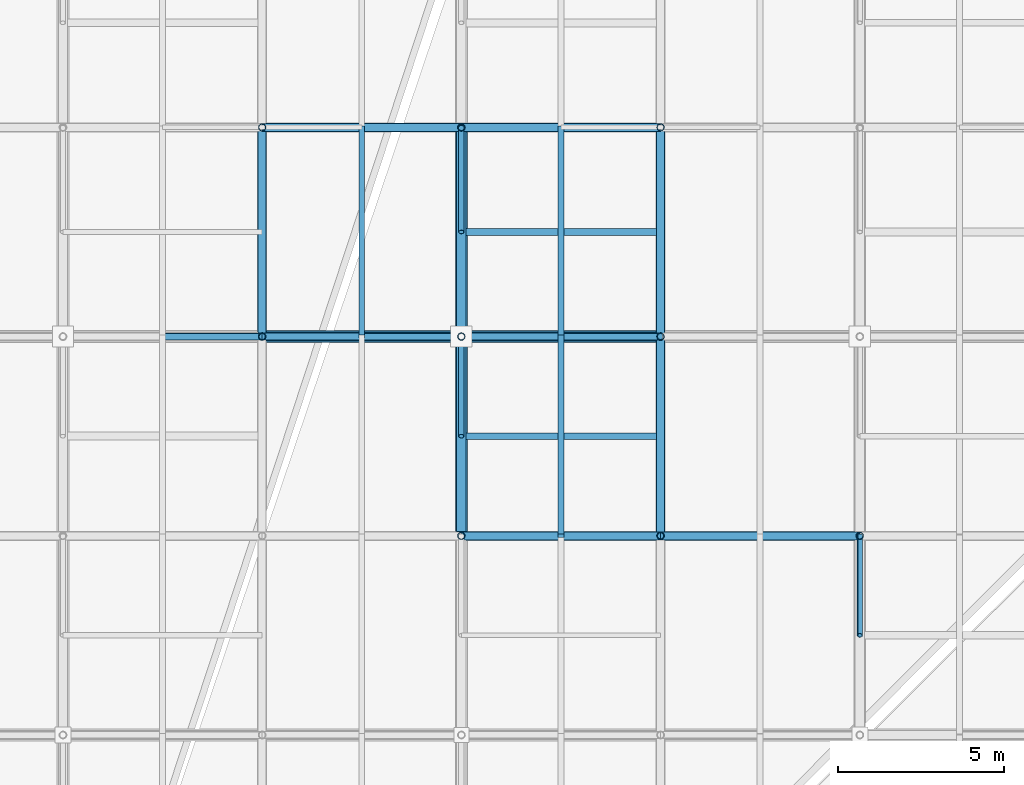
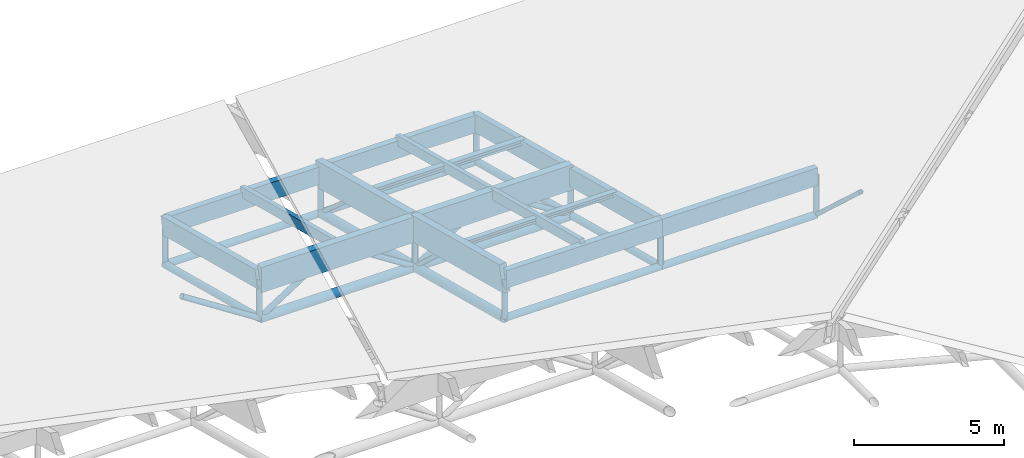
# One storey, part 62 of 80: 44 members.
"""IFC4 building model written with IfcOpenShell, lengths in metres."""

from ifc_helpers import new_model, si_unit, direction, frame, origin, origin_2d, place, context, subcontext, project, spatial, rectangle, hollow_circle, i_section, extrude, material, material_profile, profile_set, type_object, element, save


model = new_model("IFC4")

# Units and contexts
model_context = context("Model", 3, precision=1e-05, world=origin(), true_north=direction((0.0, 1.0)))
body_context = subcontext(model_context, "Body", "Model", "MODEL_VIEW")
ifc_project = project(units=[si_unit("LENGTHUNIT", "METRE"), si_unit("AREAUNIT", "SQUARE_METRE"), si_unit("VOLUMEUNIT", "CUBIC_METRE"), si_unit("PLANEANGLEUNIT", "RADIAN"), si_unit("MASSUNIT", "GRAM", prefix="KILO"), si_unit("THERMODYNAMICTEMPERATUREUNIT", "KELVIN"), si_unit("POWERUNIT", "WATT")], contexts=[model_context])

# Site, building, storey
site_placement = place(None, origin())
site = spatial("IfcSite", under=ifc_project, at=site_placement, CompositionType="ELEMENT")
building_placement = place(site_placement, origin())
building = spatial("IfcBuilding", under=site, at=building_placement, Name="Solmara Park Aquatics Centre", CompositionType="ELEMENT")
storey_placement = place(building_placement, frame((0.0, 0.0, 22.800048828125)))
storey = spatial("IfcBuildingStorey", under=building, at=storey_placement, Name="RF", CompositionType="ELEMENT", Elevation=22.800048828125)

# Members
ifc_material_1 = material(Name="Structural Steel S355", Category="steel")
ifc_material_profile_1 = material_profile(ifc_material_1, hollow_circle(Radius=0.084228515625, WallThickness=0.008056640625, at=origin_2d()), Name="CHS 168.3x8")
ifc_profile_set_1 = profile_set([ifc_material_profile_1], Name="Structural Steel S355")
member_type_1 = type_object("IfcMemberType", Name="STR-BRC-CHS168", PredefinedType="BRACE", material=ifc_profile_set_1)
member_1_placement = place(storey_placement, frame((84.60009765625, 66.60009765625, -9.58984375), z_axis=(0.0, -0.736437262703, 0.67650584484), x_axis=(1.0, 0.0, 0.0)))
element("IfcMember", 1, at=member_1_placement, inside=storey, type_object=member_type_1, Name="Roof Truss Web Diagonal Y 2103", PredefinedType="BRACE", context=body_context, shape_type="SweptSolid", body=[
    extrude(hollow_circle(Radius=0.084228515625, WallThickness=0.008056640625, at=origin_2d()), origin(), (0.0, 0.0, 1.0), 4.07373046875),
])
member_2_placement = place(storey_placement, frame((72.60009765625, 72.60009765625, -11.141357421875), z_axis=(0.0, -0.736467121275, 0.676473339667), x_axis=(1.0, 0.0, 0.0)))
element("IfcMember", 2, at=member_2_placement, inside=storey, type_object=member_type_1, Name="Roof Truss Web Diagonal Y 2125", PredefinedType="BRACE", context=body_context, shape_type="SweptSolid", body=[
    extrude(hollow_circle(Radius=0.084228515625, WallThickness=0.008056640625, at=origin_2d()), origin(), (0.0, 0.0, 1.0), 4.073486328125),
])
member_3_placement = place(storey_placement, frame((72.60009765625, 78.89990234375, -12.770751953125), z_axis=(0.0, -0.748026356938, 0.663669020917), x_axis=(1.0, 0.0, 0.0)))
element("IfcMember", 3, at=member_3_placement, inside=storey, type_object=member_type_1, Name="Roof Truss Web Diagonal Y 2147", PredefinedType="BRACE", context=body_context, shape_type="SweptSolid", body=[
    extrude(hollow_circle(Radius=0.084228515625, WallThickness=0.008056640625, at=origin_2d()), origin(), (0.0, 0.0, 1.0), 4.2109375),
])
ifc_material_profile_2 = material_profile(ifc_material_1, hollow_circle(Radius=0.109619140625, WallThickness=0.010009765625, at=origin_2d()), Name="CHS 219.1x10")
ifc_profile_set_2 = profile_set([ifc_material_profile_2], Name="Structural Steel S355")
member_type_2 = type_object("IfcMemberType", Name="STR-BRC-CHS219", PredefinedType="BRACE", material=ifc_profile_set_2)
for number, where, z_axis, x_axis, name in (
    (4, (66.60009765625, 72.60009765625, -11.141357421875), (-0.83972779743, 0.0, 0.543007574738), (0.0, -1.0, 0.0), "Roof Truss Web Diagonal X 1650"),
    (5, (66.60009765625, 72.60009765625, -11.141357421875), (0.83972779743, 0.0, 0.543007574738), (0.0, 1.0, 0.0), "Roof Truss Web Diagonal X 1679"),
    (6, (72.60009765625, 72.60009765625, -11.141357421875), (-0.83972779743, 0.0, 0.543007574738), (0.0, -1.0, 0.0), "Roof Truss Web Diagonal X 1680"),
    (7, (72.60009765625, 72.60009765625, -11.141357421875), (0.83972779743, 0.0, 0.543007574738), (0.0, 1.0, 0.0), "Roof Truss Web Diagonal X 1707"),
    (8, (78.60009765625, 72.60009765625, -11.141357421875), (-0.83972779743, 0.0, 0.543007574738), (0.0, -1.0, 0.0), "Roof Truss Web Diagonal X 1708"),
):
    element("IfcMember", number, at=place(storey_placement, frame(where, z_axis=z_axis, x_axis=x_axis)), inside=storey, type_object=member_type_2, Name=name, PredefinedType="BRACE", context=body_context, shape_type="SweptSolid", body=[
        extrude(hollow_circle(Radius=0.109619140625, WallThickness=0.010009765625, at=origin_2d()), origin(), (0.0, 0.0, 1.0), 3.572509765625),
    ])
ifc_material_profile_3 = material_profile(ifc_material_1, hollow_circle(Radius=0.136474609375, WallThickness=0.012451171875, at=origin_2d()), Name="CHS 273x12.5")
ifc_profile_set_3 = profile_set([ifc_material_profile_3], Name="Structural Steel S355")
member_type_3 = type_object("IfcMemberType", Name="STR-CHD-CHS273", PredefinedType="CHORD", material=ifc_profile_set_3)
for number, where, z_axis, x_axis, name in (
    (9, (72.60009765625, 66.60009765625, -9.58984375), (1.0, 0.0, 0.0), (0.0, 1.0, 0.0), "Steel Roof Truss Bottom Chord X 0422"),
    (10, (78.60009765625, 66.60009765625, -9.58984375), (1.0, 0.0, 0.0), (0.0, 1.0, 0.0), "Steel Roof Truss Bottom Chord X 0424"),
    (11, (66.60009765625, 78.89990234375, -12.770751953125), (1.0, 0.0, 0.0), (0.0, 1.0, 0.0), "Steel Roof Truss Bottom Chord X 0492"),
    (12, (72.60009765625, 78.89990234375, -12.770751953125), (1.0, 0.0, 0.0), (0.0, 1.0, 0.0), "Steel Roof Truss Bottom Chord X 0494"),
):
    element("IfcMember", number, at=place(storey_placement, frame(where, z_axis=z_axis, x_axis=x_axis)), inside=storey, type_object=member_type_3, Name=name, PredefinedType="CHORD", context=body_context, shape_type="SweptSolid", body=[
        extrude(hollow_circle(Radius=0.136474609375, WallThickness=0.012451171875, at=origin_2d()), origin(), (0.0, 0.0, 1.0), 6.0),
    ])
member_4_placement = place(storey_placement, frame((66.60009765625, 72.60009765625, -11.141357421875), z_axis=(0.0, 0.968141893543, -0.250402224365), x_axis=(-1.0, 0.0, 0.0)))
element("IfcMember", 13, at=member_4_placement, inside=storey, type_object=member_type_3, Name="Steel Roof Truss Bottom Chord Y 0874", PredefinedType="CHORD", context=body_context, shape_type="SweptSolid", body=[
    extrude(hollow_circle(Radius=0.136474609375, WallThickness=0.012451171875, at=origin_2d()), origin(), (0.0, 0.0, 1.0), 6.507080078125),
])
member_5_placement = place(storey_placement, frame((78.60009765625, 66.60009765625, -9.58984375), z_axis=(0.0, 0.968155143395, -0.250350990246), x_axis=(-1.0, 0.0, 0.0)))
element("IfcMember", 14, at=member_5_placement, inside=storey, type_object=member_type_3, Name="Steel Roof Truss Bottom Chord Y 0928", PredefinedType="CHORD", context=body_context, shape_type="SweptSolid", body=[
    extrude(hollow_circle(Radius=0.136474609375, WallThickness=0.012451171875, at=origin_2d()), origin(), (0.0, 0.0, 1.0), 6.197265625),
])
member_6_placement = place(storey_placement, frame((78.60009765625, 72.60009765625, -11.141357421875), z_axis=(0.0, 0.968141893543, -0.250402224365), x_axis=(-1.0, 0.0, 0.0)))
element("IfcMember", 15, at=member_6_placement, inside=storey, type_object=member_type_3, Name="Steel Roof Truss Bottom Chord Y 0930", PredefinedType="CHORD", context=body_context, shape_type="SweptSolid", body=[
    extrude(hollow_circle(Radius=0.136474609375, WallThickness=0.012451171875, at=origin_2d()), origin(), (0.0, 0.0, 1.0), 6.507080078125),
])
ifc_material_profile_4 = material_profile(ifc_material_1, hollow_circle(Radius=0.177734375, WallThickness=0.01611328125, at=origin_2d()), Name="CHS 355.6x16")
ifc_profile_set_4 = profile_set([ifc_material_profile_4], Name="Structural Steel S355")
member_type_4 = type_object("IfcMemberType", Name="STR-CHD-CHS355", PredefinedType="CHORD", material=ifc_profile_set_4)
for number, where, z_axis, x_axis, name in (
    (16, (66.60009765625, 72.60009765625, -11.141357421875), (1.0, 0.0, 0.0), (0.0, 1.0, 0.0), "Steel Roof Truss Bottom Chord X 0456"),
    (17, (72.60009765625, 72.60009765625, -11.141357421875), (1.0, 0.0, 0.0), (0.0, 1.0, 0.0), "Steel Roof Truss Bottom Chord X 0458"),
):
    element("IfcMember", number, at=place(storey_placement, frame(where, z_axis=z_axis, x_axis=x_axis)), inside=storey, type_object=member_type_4, Name=name, PredefinedType="CHORD", context=body_context, shape_type="SweptSolid", body=[
        extrude(hollow_circle(Radius=0.177734375, WallThickness=0.01611328125, at=origin_2d()), origin(), (0.0, 0.0, 1.0), 6.0),
    ])
member_7_placement = place(storey_placement, frame((72.60009765625, 66.60009765625, -9.58984375), z_axis=(0.0, 0.968155143395, -0.250350990246), x_axis=(-1.0, 0.0, 0.0)))
element("IfcMember", 18, at=member_7_placement, inside=storey, type_object=member_type_4, Name="Steel Roof Truss Bottom Chord Y 0900", PredefinedType="CHORD", context=body_context, shape_type="SweptSolid", body=[
    extrude(hollow_circle(Radius=0.177734375, WallThickness=0.01611328125, at=origin_2d()), origin(), (0.0, 0.0, 1.0), 6.197265625),
])
member_8_placement = place(storey_placement, frame((72.60009765625, 72.60009765625, -11.141357421875), z_axis=(0.0, 0.968141893543, -0.250402224365), x_axis=(-1.0, 0.0, 0.0)))
element("IfcMember", 19, at=member_8_placement, inside=storey, type_object=member_type_4, Name="Steel Roof Truss Bottom Chord Y 0902", PredefinedType="CHORD", context=body_context, shape_type="SweptSolid", body=[
    extrude(hollow_circle(Radius=0.177734375, WallThickness=0.01611328125, at=origin_2d()), origin(), (0.0, 0.0, 1.0), 6.507080078125),
])
ifc_material_2 = material(Name="Glulam Timber GL28h", Category="wood")
ifc_material_profile_5 = material_profile(ifc_material_2, rectangle(XDim=0.239990234375, YDim=0.719970703125, at=origin_2d()), Name="GL28h 240x720")
ifc_profile_set_5 = profile_set([ifc_material_profile_5], Name="Glulam Timber GL28h")
member_type_5 = type_object("IfcMemberType", Name="STR-CHD-GL240x720", PredefinedType="CHORD", material=ifc_profile_set_5)
for number, where, z_axis, x_axis, name in (
    (20, (72.60009765625, 66.60009765625, -7.9697265625), (1.0, 0.0, 0.0), (0.0, 1.0, 0.0), "Glulam Roof Truss Top Chord X 0421"),
    (21, (78.60009765625, 66.60009765625, -7.9697265625), (1.0, 0.0, 0.0), (0.0, 1.0, 0.0), "Glulam Roof Truss Top Chord X 0423"),
    (22, (66.60009765625, 78.89990234375, -11.150634765625), (1.0, 0.0, 0.0), (0.0, 1.0, 0.0), "Glulam Roof Truss Top Chord X 0491"),
    (23, (72.60009765625, 78.89990234375, -11.150634765625), (1.0, 0.0, 0.0), (0.0, 1.0, 0.0), "Glulam Roof Truss Top Chord X 0493"),
):
    element("IfcMember", number, at=place(storey_placement, frame(where, z_axis=z_axis, x_axis=x_axis)), inside=storey, type_object=member_type_5, Name=name, PredefinedType="CHORD", context=body_context, shape_type="SweptSolid", body=[
        extrude(rectangle(XDim=0.239990234375, YDim=0.719970703125, at=origin_2d()), origin(), (0.0, 0.0, 1.0), 6.0),
    ])
member_9_placement = place(storey_placement, frame((66.60009765625, 72.60009765625, -9.521484375), z_axis=(0.0, 0.968150988544, -0.250367057299), x_axis=(-1.0, 0.0, 0.0)))
element("IfcMember", 24, at=member_9_placement, inside=storey, type_object=member_type_5, Name="Glulam Roof Truss Top Chord Y 0873", PredefinedType="CHORD", context=body_context, shape_type="SweptSolid", body=[
    extrude(rectangle(XDim=0.239990234375, YDim=0.719970703125, at=origin_2d()), origin(), (0.0, 0.0, 1.0), 6.507080078125),
])
member_10_placement = place(storey_placement, frame((78.60009765625, 66.60009765625, -7.9697265625), z_axis=(0.0, 0.968145594442, -0.250387914969), x_axis=(-1.0, 0.0, 0.0)))
element("IfcMember", 25, at=member_10_placement, inside=storey, type_object=member_type_5, Name="Glulam Roof Truss Top Chord Y 0927", PredefinedType="CHORD", context=body_context, shape_type="SweptSolid", body=[
    extrude(rectangle(XDim=0.239990234375, YDim=0.719970703125, at=origin_2d()), origin(), (0.0, 0.0, 1.0), 6.197509765625),
])
member_11_placement = place(storey_placement, frame((78.60009765625, 72.60009765625, -9.521484375), z_axis=(0.0, 0.968150988544, -0.250367057299), x_axis=(-1.0, 0.0, 0.0)))
element("IfcMember", 26, at=member_11_placement, inside=storey, type_object=member_type_5, Name="Glulam Roof Truss Top Chord Y 0929", PredefinedType="CHORD", context=body_context, shape_type="SweptSolid", body=[
    extrude(rectangle(XDim=0.239990234375, YDim=0.719970703125, at=origin_2d()), origin(), (0.0, 0.0, 1.0), 6.507080078125),
])
ifc_material_profile_6 = material_profile(ifc_material_2, rectangle(XDim=0.280029296875, YDim=1.0400390625, at=origin_2d()), Name="GL28h 280x1040")
ifc_profile_set_6 = profile_set([ifc_material_profile_6], Name="Glulam Timber GL28h")
member_type_6 = type_object("IfcMemberType", Name="STR-CHD-GL280x1040", PredefinedType="CHORD", material=ifc_profile_set_6)
for number, where, z_axis, x_axis, name in (
    (27, (66.60009765625, 72.60009765625, -9.521484375), (1.0, 0.0, 0.0), (0.0, 1.0, 0.0), "Glulam Roof Truss Top Chord X 0455"),
    (28, (72.60009765625, 72.60009765625, -9.521484375), (1.0, 0.0, 0.0), (0.0, 1.0, 0.0), "Glulam Roof Truss Top Chord X 0457"),
):
    element("IfcMember", number, at=place(storey_placement, frame(where, z_axis=z_axis, x_axis=x_axis)), inside=storey, type_object=member_type_6, Name=name, PredefinedType="CHORD", context=body_context, shape_type="SweptSolid", body=[
        extrude(rectangle(XDim=0.280029296875, YDim=1.0400390625, at=origin_2d()), origin(), (0.0, 0.0, 1.0), 6.0),
    ])
member_12_placement = place(storey_placement, frame((72.60009765625, 66.60009765625, -7.9697265625), z_axis=(0.0, 0.968145594442, -0.250387914969), x_axis=(-1.0, 0.0, 0.0)))
element("IfcMember", 29, at=member_12_placement, inside=storey, type_object=member_type_6, Name="Glulam Roof Truss Top Chord Y 0899", PredefinedType="CHORD", context=body_context, shape_type="SweptSolid", body=[
    extrude(rectangle(XDim=0.280029296875, YDim=1.0400390625, at=origin_2d()), origin(), (0.0, 0.0, 1.0), 6.197509765625),
])
member_13_placement = place(storey_placement, frame((72.60009765625, 72.60009765625, -9.521484375), z_axis=(0.0, 0.968150988544, -0.250367057299), x_axis=(-1.0, 0.0, 0.0)))
element("IfcMember", 30, at=member_13_placement, inside=storey, type_object=member_type_6, Name="Glulam Roof Truss Top Chord Y 0901", PredefinedType="CHORD", context=body_context, shape_type="SweptSolid", body=[
    extrude(rectangle(XDim=0.280029296875, YDim=1.0400390625, at=origin_2d()), origin(), (0.0, 0.0, 1.0), 6.507080078125),
])
ifc_material_profile_7 = material_profile(ifc_material_2, rectangle(XDim=0.179931640625, YDim=0.39990234375, at=origin_2d()), Name="GL28h 180x400")
ifc_profile_set_7 = profile_set([ifc_material_profile_7], Name="Glulam Timber GL28h")
member_type_7 = type_object("IfcMemberType", Name="STR-PRL-GL180x400", PredefinedType="PURLIN", material=ifc_profile_set_7)
member_14_placement = place(storey_placement, frame((69.60009765625, 72.60009765625, -9.201416015625), z_axis=(0.0, 0.968141893543, -0.250402224365), x_axis=(-1.0, 0.0, 0.0)))
element("IfcMember", 31, at=member_14_placement, inside=storey, type_object=member_type_7, Name="Glulam Roof Purlin 1665", PredefinedType="PURLIN", context=body_context, shape_type="SweptSolid", body=[
    extrude(rectangle(XDim=0.179931640625, YDim=0.39990234375, at=origin_2d()), origin(), (0.0, 0.0, 1.0), 6.507080078125),
])
member_15_placement = place(storey_placement, frame((75.60009765625, 66.60009765625, -7.649658203125), z_axis=(0.0, 0.968145594442, -0.250387914969), x_axis=(-1.0, 0.0, 0.0)))
element("IfcMember", 32, at=member_15_placement, inside=storey, type_object=member_type_7, Name="Glulam Roof Purlin 1694", PredefinedType="PURLIN", context=body_context, shape_type="SweptSolid", body=[
    extrude(rectangle(XDim=0.179931640625, YDim=0.39990234375, at=origin_2d()), origin(), (0.0, 0.0, 1.0), 6.197509765625),
])
member_16_placement = place(storey_placement, frame((75.60009765625, 72.60009765625, -9.201416015625), z_axis=(0.0, 0.968141893543, -0.250402224365), x_axis=(-1.0, 0.0, 0.0)))
element("IfcMember", 33, at=member_16_placement, inside=storey, type_object=member_type_7, Name="Glulam Roof Purlin 1695", PredefinedType="PURLIN", context=body_context, shape_type="SweptSolid", body=[
    extrude(rectangle(XDim=0.179931640625, YDim=0.39990234375, at=origin_2d()), origin(), (0.0, 0.0, 1.0), 6.507080078125),
])
ifc_material_profile_8 = material_profile(ifc_material_1, i_section(OverallWidth=0.199951171875, OverallDepth=0.18994140625, WebThickness=0.006591796875, FlangeThickness=0.010009765625, FilletRadius=0.01806640625, at=origin_2d()), Name="HEA 200")
ifc_profile_set_8 = profile_set([ifc_material_profile_8], Name="Structural Steel S355")
member_type_8 = type_object("IfcMemberType", Name="STR-PRL-HEA200", PredefinedType="PURLIN", material=ifc_profile_set_8)
member_17_placement = place(storey_placement, frame((72.60009765625, 69.60009765625, -8.40576171875), z_axis=(1.0, 0.0, 0.0), x_axis=(0.0, 1.0, 0.0)))
element("IfcMember", 34, at=member_17_placement, inside=storey, type_object=member_type_8, Name="Glulam Secondary Roof Purlin 2114", PredefinedType="PURLIN", context=body_context, shape_type="SweptSolid", body=[
    extrude(i_section(OverallWidth=0.199951171875, OverallDepth=0.18994140625, WebThickness=0.006591796875, FlangeThickness=0.010009765625, FilletRadius=0.01806640625, at=origin_2d()), origin(), (0.0, 0.0, 1.0), 6.0),
])
ifc_material_profile_9 = material_profile(ifc_material_1, i_section(OverallWidth=0.219970703125, OverallDepth=0.2099609375, WebThickness=0.007080078125, FlangeThickness=0.010986328125, FilletRadius=0.01806640625, at=origin_2d()), Name="HEA 220")
ifc_profile_set_9 = profile_set([ifc_material_profile_9], Name="Structural Steel S355")
member_type_9 = type_object("IfcMemberType", Name="STR-PRL-HEA220", PredefinedType="PURLIN", material=ifc_profile_set_9)
member_18_placement = place(storey_placement, frame((72.60009765625, 75.75, -9.99609375), z_axis=(1.0, 0.0, 0.0), x_axis=(0.0, 1.0, 0.0)))
element("IfcMember", 35, at=member_18_placement, inside=storey, type_object=member_type_9, Name="Glulam Secondary Roof Purlin 2137", PredefinedType="PURLIN", context=body_context, shape_type="SweptSolid", body=[
    extrude(i_section(OverallWidth=0.219970703125, OverallDepth=0.2099609375, WebThickness=0.007080078125, FlangeThickness=0.010986328125, FilletRadius=0.01806640625, at=origin_2d()), origin(), (0.0, 0.0, 1.0), 6.0),
])
ifc_material_profile_10 = material_profile(ifc_material_1, hollow_circle(Radius=0.109619140625, WallThickness=0.010009765625, at=origin_2d()), Name="CHS 219.1x10")
ifc_profile_set_10 = profile_set([ifc_material_profile_10], Name="Structural Steel S355")
member_type_10 = type_object("IfcMemberType", Name="STR-PST-CHS219", PredefinedType="POST", material=ifc_profile_set_10)
member_19_placement = place(storey_placement, frame((66.60009765625, 72.60009765625, -11.141357421875), z_axis=(0.0, 0.0, 1.0), x_axis=(1.0, 0.0, 0.0)))
element("IfcMember", 36, at=member_19_placement, inside=storey, type_object=member_type_10, Name="Roof Truss Web Post 1243", PredefinedType="POST", context=body_context, shape_type="SweptSolid", body=[
    extrude(hollow_circle(Radius=0.109619140625, WallThickness=0.010009765625, at=origin_2d()), origin(), (0.0, 0.0, 1.0), 1.619873046875),
])
for number, where, z_axis, x_axis, name in (
    (37, (66.60009765625, 78.89990234375, -12.770751953125), (0.0, 0.0, 1.0), (1.0, 0.0, 0.0), "Roof Truss Web Post 1244"),
    (38, (72.60009765625, 66.60009765625, -9.58984375), (0.0, 0.0, 1.0), (1.0, 0.0, 0.0), "Roof Truss Web Post 1257"),
):
    element("IfcMember", number, at=place(storey_placement, frame(where, z_axis=z_axis, x_axis=x_axis)), inside=storey, type_object=member_type_10, Name=name, PredefinedType="POST", context=body_context, shape_type="SweptSolid", body=[
        extrude(hollow_circle(Radius=0.109619140625, WallThickness=0.010009765625, at=origin_2d()), origin(), (0.0, 0.0, 1.0), 1.6201171875),
    ])
member_20_placement = place(storey_placement, frame((72.60009765625, 72.60009765625, -11.141357421875), z_axis=(0.0, 0.0, 1.0), x_axis=(1.0, 0.0, 0.0)))
element("IfcMember", 39, at=member_20_placement, inside=storey, type_object=member_type_10, Name="Roof Truss Web Post 1258", PredefinedType="POST", context=body_context, shape_type="SweptSolid", body=[
    extrude(hollow_circle(Radius=0.109619140625, WallThickness=0.010009765625, at=origin_2d()), origin(), (0.0, 0.0, 1.0), 1.619873046875),
])
for number, where, z_axis, x_axis, name in (
    (40, (72.60009765625, 78.89990234375, -12.770751953125), (0.0, 0.0, 1.0), (1.0, 0.0, 0.0), "Roof Truss Web Post 1259"),
    (41, (78.60009765625, 66.60009765625, -9.58984375), (0.0, 0.0, 1.0), (1.0, 0.0, 0.0), "Roof Truss Web Post 1272"),
):
    element("IfcMember", number, at=place(storey_placement, frame(where, z_axis=z_axis, x_axis=x_axis)), inside=storey, type_object=member_type_10, Name=name, PredefinedType="POST", context=body_context, shape_type="SweptSolid", body=[
        extrude(hollow_circle(Radius=0.109619140625, WallThickness=0.010009765625, at=origin_2d()), origin(), (0.0, 0.0, 1.0), 1.6201171875),
    ])
member_21_placement = place(storey_placement, frame((78.60009765625, 72.60009765625, -11.141357421875), z_axis=(0.0, 0.0, 1.0), x_axis=(1.0, 0.0, 0.0)))
element("IfcMember", 42, at=member_21_placement, inside=storey, type_object=member_type_10, Name="Roof Truss Web Post 1273", PredefinedType="POST", context=body_context, shape_type="SweptSolid", body=[
    extrude(hollow_circle(Radius=0.109619140625, WallThickness=0.010009765625, at=origin_2d()), origin(), (0.0, 0.0, 1.0), 1.619873046875),
])
for number, where, z_axis, x_axis, name in (
    (43, (78.60009765625, 78.89990234375, -12.770751953125), (0.0, 0.0, 1.0), (1.0, 0.0, 0.0), "Roof Truss Web Post 1274"),
    (44, (84.60009765625, 66.60009765625, -9.58984375), (0.0, 0.0, 1.0), (1.0, 0.0, 0.0), "Roof Truss Web Post 1287"),
):
    element("IfcMember", number, at=place(storey_placement, frame(where, z_axis=z_axis, x_axis=x_axis)), inside=storey, type_object=member_type_10, Name=name, PredefinedType="POST", context=body_context, shape_type="SweptSolid", body=[
        extrude(hollow_circle(Radius=0.109619140625, WallThickness=0.010009765625, at=origin_2d()), origin(), (0.0, 0.0, 1.0), 1.6201171875),
    ])

save(model, "model.ifc")
